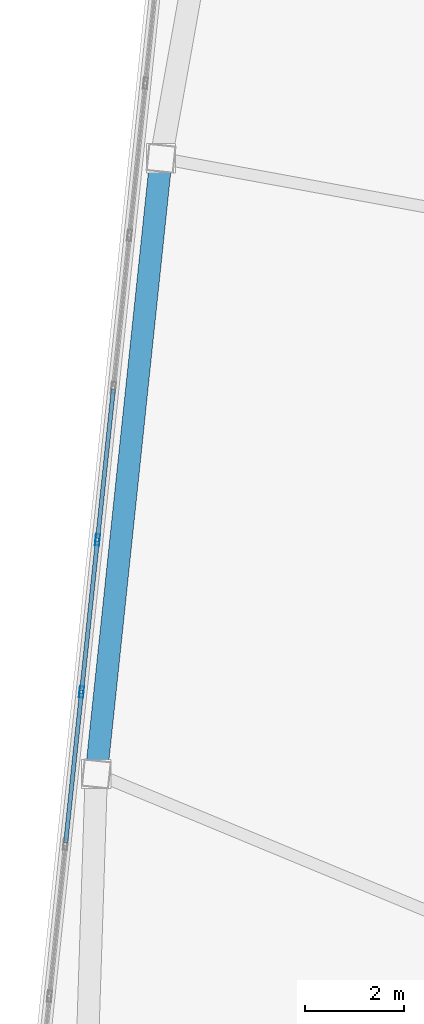
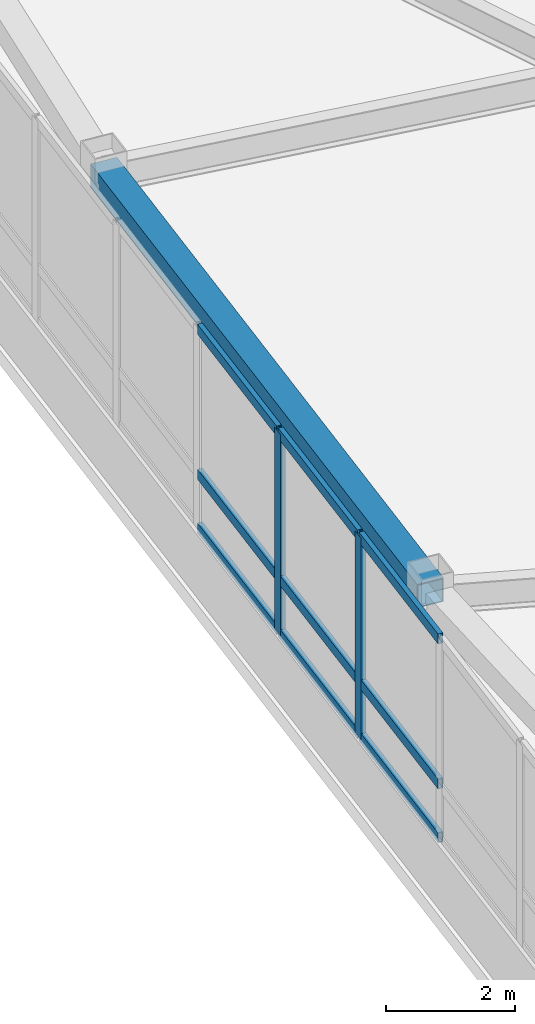
# One storey, part 6 of 23: 11 members, 1 beam, 1 element without a shape of its own.
"""IFC4 building model written with IfcOpenShell, lengths in metres."""

from ifc_helpers import new_model, si_unit, direction, frame, origin, origin_2d, place, context, subcontext, project, spatial, hollow_rectangle, extrude, material, layer, layer_set, material_profile, profile_set, type_object, element, aggregate, save


model = new_model("IFC4")

# Units and contexts
model_context = context("Model", 3, precision=1e-05, world=origin(), true_north=direction((0.0, 1.0)))
body_context = subcontext(model_context, "Body", "Model", "MODEL_VIEW")
ifc_project = project(units=[si_unit("LENGTHUNIT", "METRE"), si_unit("AREAUNIT", "SQUARE_METRE"), si_unit("VOLUMEUNIT", "CUBIC_METRE"), si_unit("PLANEANGLEUNIT", "RADIAN"), si_unit("MASSUNIT", "GRAM", prefix="KILO")], contexts=[model_context])

# Site, building, storey
site_placement = place(None, origin())
site = spatial("IfcSite", under=ifc_project, at=site_placement, CompositionType="ELEMENT")
building_placement = place(site_placement, origin())
building = spatial("IfcBuilding", under=site, at=building_placement, Name="Voryun Gate Residences", CompositionType="ELEMENT")
storey_placement = place(building_placement, frame((0.0, 0.0, 321.300048828125)))
storey = spatial("IfcBuildingStorey", under=building, at=storey_placement, Name="L79", CompositionType="ELEMENT", Elevation=321.300048828125)

# Beam
ifc_material_1 = material(Name="Steel SM355", Category="steel")
ifc_material_profile_1 = material_profile(ifc_material_1, hollow_rectangle(XDim=0.449951171875, YDim=0.449951171875, WallThickness=0.01806640625, at=origin_2d()), Name="BOX-450x450x18")
ifc_profile_set_1 = profile_set([ifc_material_profile_1], Name="Steel SM355")
beam_type = type_object("IfcBeamType", Name="BM_CROWN_RING", PredefinedType="BEAM", material=ifc_profile_set_1)
beam_placement = place(storey_placement, frame((-27.158203125, 8.861572265625, 4.800048828125), z_axis=(-0.104539303236, -0.994520755982, 0.0), x_axis=(0.994520755982, -0.104539303236, 0.0)))
element("IfcBeam", 1, at=beam_placement, inside=storey, type_object=beam_type, Name="BM-L79-SPAND-18", PredefinedType="BEAM", context=body_context, shape_type="SweptSolid", body=[
    extrude(hollow_rectangle(XDim=0.449951171875, YDim=0.449951171875, WallThickness=0.01806640625, at=origin_2d()), origin(), (0.0, 0.0, 1.0), 12.491943359375),
])

# Curtain wall, members
ifc_material_2 = material(Name="Anodised aluminium", Category="aluminium")
ifc_layer = layer(ifc_material_2, 0.22998046875, Name="CW_SYS_LANTERN_DARK_GLASS")
ifc_layer_set = layer_set([ifc_layer], Name="Anodised aluminium")
curtain_wall_type = type_object("IfcCurtainWallType", Name="CW_SYS_LANTERN_DARK_GLASS", PredefinedType="NOTDEFINED", material=ifc_layer_set)
curtain_wall_placement = place(storey_placement, origin())
curtain_wall = element("IfcCurtainWall", 2, at=curtain_wall_placement, inside=storey, type_object=curtain_wall_type, Name="Curtain wall CW6-L79-06", PredefinedType="NOTDEFINED")
ifc_material_3 = material(Name="Anodised aluminium", Category="aluminium")
ifc_material_profile_2 = material_profile(ifc_material_3, hollow_rectangle(XDim=0.0849609375, YDim=0.22998046875, WallThickness=0.006103515625, at=origin_2d()), Name="ALU-MULL-230x85x6")
ifc_profile_set_2 = profile_set([ifc_material_profile_2], Name="Anodised aluminium")
member_type_1 = type_object("IfcMemberType", Name="CW_MULL_LANT", PredefinedType="MULLION", material=ifc_profile_set_2)
member_1_placement = place(storey_placement, frame((-28.7626953125, -1.907470703125, 1.18994140625), z_axis=(0.0, 0.0, 1.0), x_axis=(-0.994521943608, 0.104528004296, 0.0)))
member_1 = element("IfcMember", 3, at=member_1_placement, type_object=member_type_1, Name="CW6 mullion 4", PredefinedType="MULLION", context=body_context, shape_type="SweptSolid", body=[
    extrude(hollow_rectangle(XDim=0.0849609375, YDim=0.22998046875, WallThickness=0.006103515625, at=origin_2d()), origin(), (0.0, 0.0, 1.0), 3.8349609375),
])
member_2_placement = place(storey_placement, frame((-28.43994140625, 1.163330078125, 1.18994140625), z_axis=(0.0, 0.0, 1.0), x_axis=(-0.994521943608, 0.104528004296, 0.0)))
member_2 = element("IfcMember", 4, at=member_2_placement, type_object=member_type_1, Name="CW6 mullion 5", PredefinedType="MULLION", context=body_context, shape_type="SweptSolid", body=[
    extrude(hollow_rectangle(XDim=0.0849609375, YDim=0.22998046875, WallThickness=0.006103515625, at=origin_2d()), origin(), (0.0, 0.0, 1.0), 3.8349609375),
])
ifc_material_4 = material(Name="Anodised aluminium", Category="aluminium")
ifc_material_profile_3 = material_profile(ifc_material_4, hollow_rectangle(XDim=0.0849609375, YDim=0.18994140625, WallThickness=0.006103515625, at=origin_2d()), Name="ALU-TRAN-190x85x6")
ifc_profile_set_3 = profile_set([ifc_material_profile_3], Name="Anodised aluminium")
member_type_2 = type_object("IfcMemberType", Name="CW_TRAN_LANT", PredefinedType="USERDEFINED", material=ifc_profile_set_3)
member_3_placement = place(storey_placement, frame((-29.082275390625, -4.948486328125, 1.219970703125), z_axis=(0.104500100479, 0.994524876009, 0.0), x_axis=(-0.994524876009, 0.104500100479, 0.0)))
member_3 = element("IfcMember", 5, at=member_3_placement, type_object=member_type_2, Name="CW6 transom 3.1", ObjectType="TRANSOM", PredefinedType="USERDEFINED", context=body_context, shape_type="SweptSolid", body=[
    extrude(hollow_rectangle(XDim=0.0849609375, YDim=0.18994140625, WallThickness=0.006103515625, at=origin_2d()), origin(), (0.0, 0.0, 1.0), 3.02783203125),
])
member_4_placement = place(storey_placement, frame((-29.082275390625, -4.948486328125, 2.239990234375), z_axis=(0.104500100479, 0.994524876009, 0.0), x_axis=(-0.994524876009, 0.104500100479, 0.0)))
member_4 = element("IfcMember", 6, at=member_4_placement, type_object=member_type_2, Name="CW6 transom 3.2", ObjectType="TRANSOM", PredefinedType="USERDEFINED", context=body_context, shape_type="SweptSolid", body=[
    extrude(hollow_rectangle(XDim=0.0849609375, YDim=0.18994140625, WallThickness=0.006103515625, at=origin_2d()), origin(), (0.0, 0.0, 1.0), 3.02783203125),
])
member_5_placement = place(storey_placement, frame((-29.082275390625, -4.948486328125, 4.994873046875), z_axis=(0.104500100479, 0.994524876009, 0.0), x_axis=(-0.994524876009, 0.104500100479, 0.0)))
member_5 = element("IfcMember", 7, at=member_5_placement, type_object=member_type_2, Name="CW6 transom 3.3", ObjectType="TRANSOM", PredefinedType="USERDEFINED", context=body_context, shape_type="SweptSolid", body=[
    extrude(hollow_rectangle(XDim=0.0849609375, YDim=0.18994140625, WallThickness=0.006103515625, at=origin_2d()), origin(), (0.0, 0.0, 1.0), 3.02783203125),
])
member_6_placement = place(storey_placement, frame((-28.759521484375, -1.877685546875, 1.219970703125), z_axis=(0.104500100479, 0.994524876009, 0.0), x_axis=(-0.994524876009, 0.104500100479, 0.0)))
member_6 = element("IfcMember", 8, at=member_6_placement, type_object=member_type_2, Name="CW6 transom 4.1", ObjectType="TRANSOM", PredefinedType="USERDEFINED", context=body_context, shape_type="SweptSolid", body=[
    extrude(hollow_rectangle(XDim=0.0849609375, YDim=0.18994140625, WallThickness=0.006103515625, at=origin_2d()), origin(), (0.0, 0.0, 1.0), 3.02783203125),
])
member_7_placement = place(storey_placement, frame((-28.759521484375, -1.877685546875, 2.239990234375), z_axis=(0.104500100479, 0.994524876009, 0.0), x_axis=(-0.994524876009, 0.104500100479, 0.0)))
member_7 = element("IfcMember", 9, at=member_7_placement, type_object=member_type_2, Name="CW6 transom 4.2", ObjectType="TRANSOM", PredefinedType="USERDEFINED", context=body_context, shape_type="SweptSolid", body=[
    extrude(hollow_rectangle(XDim=0.0849609375, YDim=0.18994140625, WallThickness=0.006103515625, at=origin_2d()), origin(), (0.0, 0.0, 1.0), 3.02783203125),
])
member_8_placement = place(storey_placement, frame((-28.759521484375, -1.877685546875, 4.994873046875), z_axis=(0.104500100479, 0.994524876009, 0.0), x_axis=(-0.994524876009, 0.104500100479, 0.0)))
member_8 = element("IfcMember", 10, at=member_8_placement, type_object=member_type_2, Name="CW6 transom 4.3", ObjectType="TRANSOM", PredefinedType="USERDEFINED", context=body_context, shape_type="SweptSolid", body=[
    extrude(hollow_rectangle(XDim=0.0849609375, YDim=0.18994140625, WallThickness=0.006103515625, at=origin_2d()), origin(), (0.0, 0.0, 1.0), 3.02783203125),
])
member_9_placement = place(storey_placement, frame((-28.436767578125, 1.193359375, 1.219970703125), z_axis=(0.104500100479, 0.994524876009, 0.0), x_axis=(-0.994524876009, 0.104500100479, 0.0)))
member_9 = element("IfcMember", 11, at=member_9_placement, type_object=member_type_2, Name="CW6 transom 5.1", ObjectType="TRANSOM", PredefinedType="USERDEFINED", context=body_context, shape_type="SweptSolid", body=[
    extrude(hollow_rectangle(XDim=0.0849609375, YDim=0.18994140625, WallThickness=0.006103515625, at=origin_2d()), origin(), (0.0, 0.0, 1.0), 3.02783203125),
])
member_10_placement = place(storey_placement, frame((-28.436767578125, 1.193359375, 2.239990234375), z_axis=(0.104500100479, 0.994524876009, 0.0), x_axis=(-0.994524876009, 0.104500100479, 0.0)))
member_10 = element("IfcMember", 12, at=member_10_placement, type_object=member_type_2, Name="CW6 transom 5.2", ObjectType="TRANSOM", PredefinedType="USERDEFINED", context=body_context, shape_type="SweptSolid", body=[
    extrude(hollow_rectangle(XDim=0.0849609375, YDim=0.18994140625, WallThickness=0.006103515625, at=origin_2d()), origin(), (0.0, 0.0, 1.0), 3.02783203125),
])
member_11_placement = place(storey_placement, frame((-28.436767578125, 1.193359375, 4.994873046875), z_axis=(0.104500100479, 0.994524876009, 0.0), x_axis=(-0.994524876009, 0.104500100479, 0.0)))
member_11 = element("IfcMember", 13, at=member_11_placement, type_object=member_type_2, Name="CW6 transom 5.3", ObjectType="TRANSOM", PredefinedType="USERDEFINED", context=body_context, shape_type="SweptSolid", body=[
    extrude(hollow_rectangle(XDim=0.0849609375, YDim=0.18994140625, WallThickness=0.006103515625, at=origin_2d()), origin(), (0.0, 0.0, 1.0), 3.02783203125),
])
aggregate(curtain_wall, [member_1, member_2, member_3, member_4, member_5, member_6, member_7, member_8, member_9, member_10, member_11])

save(model, "model.ifc")
